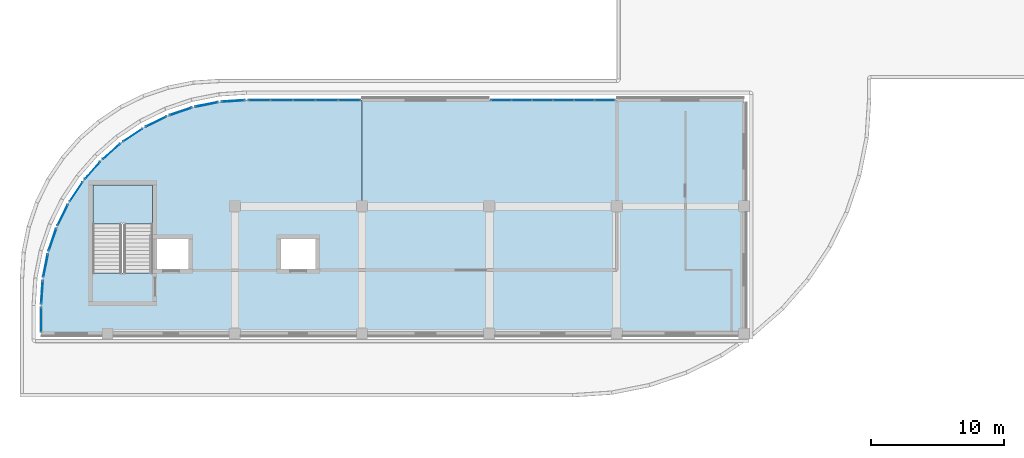
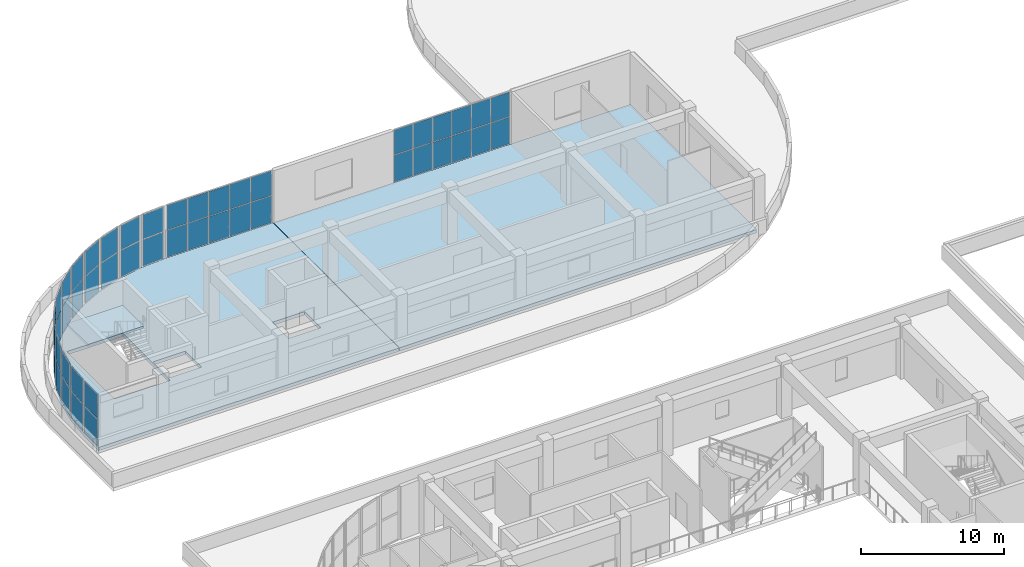
# One storey, part 32 of 67: 48 plates, 3 slabs, 16 elements without a shape of their own.
"""IFC4 building model written with IfcOpenShell, lengths in metres."""

from ifc_helpers import new_model, si_unit, direction, frame, origin, origin_2d, place, context, subcontext, project, spatial, polyline, rectangle, outline, extrude, material, layer, layer_set, type_object, element, aggregate, save


model = new_model("IFC4")

# Units and contexts
model_context = context("Model", 3, precision=1e-05, world=origin(), true_north=direction((0.0, 1.0)))
body_context = subcontext(model_context, "Body", "Model", "MODEL_VIEW")
ifc_project = project(units=[si_unit("LENGTHUNIT", "METRE"), si_unit("AREAUNIT", "SQUARE_METRE"), si_unit("VOLUMEUNIT", "CUBIC_METRE"), si_unit("PLANEANGLEUNIT", "RADIAN"), si_unit("MASSUNIT", "GRAM", prefix="KILO")], contexts=[model_context])

# Site, building, storey
site_placement = place(None, origin())
site = spatial("IfcSite", under=ifc_project, at=site_placement, CompositionType="ELEMENT")
building_placement = place(site_placement, origin())
building = spatial("IfcBuilding", under=site, at=building_placement, Name="Cendralis Terraced Arcade", CompositionType="ELEMENT")
storey_placement = place(building_placement, frame((0.0, 0.0, 15.0)))
storey = spatial("IfcBuildingStorey", under=building, at=storey_placement, Name="L03", CompositionType="ELEMENT", Elevation=15.0)

# Curtain wall, plates
ifc_material_1 = material(Name="Anodised aluminium EN AW-6063 T6", Category="aluminium")
ifc_layer_1 = layer(ifc_material_1, 0.1201171875, Name="CW-STORE-B")
ifc_layer_set_1 = layer_set([ifc_layer_1], Name="Anodised aluminium EN AW-6063 T6")
curtain_wall_type_1 = type_object("IfcCurtainWallType", Name="CW-STORE-B", PredefinedType="USERDEFINED", material=ifc_layer_set_1)
curtain_wall_1_placement = place(storey_placement, origin())
curtain_wall_1 = element("IfcCurtainWall", 1, at=curtain_wall_1_placement, inside=storey, type_object=curtain_wall_type_1, Name="Exterior Storefront Glazing CW-L03-0310", ObjectType="STOREFRONT GLAZING", PredefinedType="USERDEFINED")
ifc_material_2 = material(Name="Tempered solar control laminated glass", Category="glass")
ifc_layer_2 = layer(ifc_material_2, 0.02392578125, Name="CW-STORE-B-PNL")
ifc_layer_set_2 = layer_set([ifc_layer_2], Name="Tempered solar control laminated glass")
plate_type_1 = type_object("IfcPlateType", Name="CW-STORE-B-PNL", PredefinedType="CURTAIN_PANEL", material=ifc_layer_set_2)
plate_1_placement = place(storey_placement, frame((21.0556640625, 87.199951171875, 0.05517578125), z_axis=(0.0, 0.0, 1.0), x_axis=(1.0, 0.0, 0.0)))
plate_1 = element("IfcPlate", 2, at=plate_1_placement, type_object=plate_type_1, Name="CW-S2 panel 1.1", PredefinedType="CURTAIN_PANEL", context=body_context, shape_type="SweptSolid", body=[
    extrude(rectangle(XDim=1.62158203125, YDim=0.02392578125, at=origin_2d()), origin(), (0.0, 0.0, 1.0), 2.267822265625),
])
plate_2_placement = place(storey_placement, frame((21.0556640625, 87.199951171875, 2.3779296875), z_axis=(0.0, 0.0, 1.0), x_axis=(1.0, 0.0, 0.0)))
plate_2 = element("IfcPlate", 3, at=plate_2_placement, type_object=plate_type_1, Name="CW-S2 panel 1.2", PredefinedType="CURTAIN_PANEL", context=body_context, shape_type="SweptSolid", body=[
    extrude(rectangle(XDim=1.62158203125, YDim=0.02392578125, at=origin_2d()), origin(), (0.0, 0.0, 1.0), 2.087158203125),
])
plate_3_placement = place(storey_placement, frame((22.74609375, 87.199951171875, 0.05517578125), z_axis=(0.0, 0.0, 1.0), x_axis=(1.0, 0.0, 0.0)))
plate_3 = element("IfcPlate", 4, at=plate_3_placement, type_object=plate_type_1, Name="CW-S2 panel 2.1", PredefinedType="CURTAIN_PANEL", context=body_context, shape_type="SweptSolid", body=[
    extrude(rectangle(XDim=1.64892578125, YDim=0.02392578125, at=origin_2d()), origin(), (0.0, 0.0, 1.0), 2.267822265625),
])
plate_4_placement = place(storey_placement, frame((22.74609375, 87.199951171875, 2.3779296875), z_axis=(0.0, 0.0, 1.0), x_axis=(1.0, 0.0, 0.0)))
plate_4 = element("IfcPlate", 5, at=plate_4_placement, type_object=plate_type_1, Name="CW-S2 panel 2.2", PredefinedType="CURTAIN_PANEL", context=body_context, shape_type="SweptSolid", body=[
    extrude(rectangle(XDim=1.64892578125, YDim=0.02392578125, at=origin_2d()), origin(), (0.0, 0.0, 1.0), 2.087158203125),
])
plate_5_placement = place(storey_placement, frame((24.449951171875, 87.199951171875, 0.05517578125), z_axis=(0.0, 0.0, 1.0), x_axis=(1.0, 0.0, 0.0)))
plate_5 = element("IfcPlate", 6, at=plate_5_placement, type_object=plate_type_1, Name="CW-S2 panel 3.1", PredefinedType="CURTAIN_PANEL", context=body_context, shape_type="SweptSolid", body=[
    extrude(rectangle(XDim=1.64892578125, YDim=0.02392578125, at=origin_2d()), origin(), (0.0, 0.0, 1.0), 2.267822265625),
])
plate_6_placement = place(storey_placement, frame((24.449951171875, 87.199951171875, 2.3779296875), z_axis=(0.0, 0.0, 1.0), x_axis=(1.0, 0.0, 0.0)))
plate_6 = element("IfcPlate", 7, at=plate_6_placement, type_object=plate_type_1, Name="CW-S2 panel 3.2", PredefinedType="CURTAIN_PANEL", context=body_context, shape_type="SweptSolid", body=[
    extrude(rectangle(XDim=1.64892578125, YDim=0.02392578125, at=origin_2d()), origin(), (0.0, 0.0, 1.0), 2.087158203125),
])
plate_7_placement = place(storey_placement, frame((26.154052734375, 87.199951171875, 0.05517578125), z_axis=(0.0, 0.0, 1.0), x_axis=(1.0, 0.0, 0.0)))
plate_7 = element("IfcPlate", 8, at=plate_7_placement, type_object=plate_type_1, Name="CW-S2 panel 4.1", PredefinedType="CURTAIN_PANEL", context=body_context, shape_type="SweptSolid", body=[
    extrude(rectangle(XDim=1.64892578125, YDim=0.02392578125, at=origin_2d()), origin(), (0.0, 0.0, 1.0), 2.267822265625),
])
plate_8_placement = place(storey_placement, frame((26.154052734375, 87.199951171875, 2.3779296875), z_axis=(0.0, 0.0, 1.0), x_axis=(1.0, 0.0, 0.0)))
plate_8 = element("IfcPlate", 9, at=plate_8_placement, type_object=plate_type_1, Name="CW-S2 panel 4.2", PredefinedType="CURTAIN_PANEL", context=body_context, shape_type="SweptSolid", body=[
    extrude(rectangle(XDim=1.64892578125, YDim=0.02392578125, at=origin_2d()), origin(), (0.0, 0.0, 1.0), 2.087158203125),
])
plate_9_placement = place(storey_placement, frame((27.84423828125, 87.199951171875, 0.05517578125), z_axis=(0.0, 0.0, 1.0), x_axis=(1.0, 0.0, 0.0)))
plate_9 = element("IfcPlate", 10, at=plate_9_placement, type_object=plate_type_1, Name="CW-S2 panel 5.1", PredefinedType="CURTAIN_PANEL", context=body_context, shape_type="SweptSolid", body=[
    extrude(rectangle(XDim=1.62158203125, YDim=0.02392578125, at=origin_2d()), origin(), (0.0, 0.0, 1.0), 2.267822265625),
])
plate_10_placement = place(storey_placement, frame((27.84423828125, 87.199951171875, 2.3779296875), z_axis=(0.0, 0.0, 1.0), x_axis=(1.0, 0.0, 0.0)))
plate_10 = element("IfcPlate", 11, at=plate_10_placement, type_object=plate_type_1, Name="CW-S2 panel 5.2", PredefinedType="CURTAIN_PANEL", context=body_context, shape_type="SweptSolid", body=[
    extrude(rectangle(XDim=1.62158203125, YDim=0.02392578125, at=origin_2d()), origin(), (0.0, 0.0, 1.0), 2.087158203125),
])
aggregate(curtain_wall_1, [plate_1, plate_2, plate_3, plate_4, plate_5, plate_6, plate_7, plate_8, plate_9, plate_10])

curtain_wall_2_placement = place(storey_placement, origin())
curtain_wall_2 = element("IfcCurtainWall", 12, at=curtain_wall_2_placement, inside=storey, type_object=curtain_wall_type_1, Name="Exterior Storefront Glazing CW-L03-0311", ObjectType="STOREFRONT GLAZING", PredefinedType="USERDEFINED")
plate_11_placement = place(storey_placement, frame((39.288818359375, 87.199951171875, 0.05517578125), z_axis=(0.0, 0.0, 1.0), x_axis=(1.0, 0.0, 0.0)))
plate_11 = element("IfcPlate", 13, at=plate_11_placement, type_object=plate_type_1, Name="CW-S2 panel 1.1", PredefinedType="CURTAIN_PANEL", context=body_context, shape_type="SweptSolid", body=[
    extrude(rectangle(XDim=1.487548828125, YDim=0.02392578125, at=origin_2d()), origin(), (0.0, 0.0, 1.0), 2.267822265625),
])
plate_12_placement = place(storey_placement, frame((39.288818359375, 87.199951171875, 2.3779296875), z_axis=(0.0, 0.0, 1.0), x_axis=(1.0, 0.0, 0.0)))
plate_12 = element("IfcPlate", 14, at=plate_12_placement, type_object=plate_type_1, Name="CW-S2 panel 1.2", PredefinedType="CURTAIN_PANEL", context=body_context, shape_type="SweptSolid", body=[
    extrude(rectangle(XDim=1.487548828125, YDim=0.02392578125, at=origin_2d()), origin(), (0.0, 0.0, 1.0), 2.087158203125),
])
plate_13_placement = place(storey_placement, frame((40.844970703125, 87.199951171875, 0.05517578125), z_axis=(0.0, 0.0, 1.0), x_axis=(1.0, 0.0, 0.0)))
plate_13 = element("IfcPlate", 15, at=plate_13_placement, type_object=plate_type_1, Name="CW-S2 panel 2.1", PredefinedType="CURTAIN_PANEL", context=body_context, shape_type="SweptSolid", body=[
    extrude(rectangle(XDim=1.514892578125, YDim=0.02392578125, at=origin_2d()), origin(), (0.0, 0.0, 1.0), 2.267822265625),
])
plate_14_placement = place(storey_placement, frame((40.844970703125, 87.199951171875, 2.3779296875), z_axis=(0.0, 0.0, 1.0), x_axis=(1.0, 0.0, 0.0)))
plate_14 = element("IfcPlate", 16, at=plate_14_placement, type_object=plate_type_1, Name="CW-S2 panel 2.2", PredefinedType="CURTAIN_PANEL", context=body_context, shape_type="SweptSolid", body=[
    extrude(rectangle(XDim=1.514892578125, YDim=0.02392578125, at=origin_2d()), origin(), (0.0, 0.0, 1.0), 2.087158203125),
])
plate_15_placement = place(storey_placement, frame((42.4150390625, 87.199951171875, 0.05517578125), z_axis=(0.0, 0.0, 1.0), x_axis=(1.0, 0.0, 0.0)))
plate_15 = element("IfcPlate", 17, at=plate_15_placement, type_object=plate_type_1, Name="CW-S2 panel 3.1", PredefinedType="CURTAIN_PANEL", context=body_context, shape_type="SweptSolid", body=[
    extrude(rectangle(XDim=1.514892578125, YDim=0.02392578125, at=origin_2d()), origin(), (0.0, 0.0, 1.0), 2.267822265625),
])
plate_16_placement = place(storey_placement, frame((42.4150390625, 87.199951171875, 2.3779296875), z_axis=(0.0, 0.0, 1.0), x_axis=(1.0, 0.0, 0.0)))
plate_16 = element("IfcPlate", 18, at=plate_16_placement, type_object=plate_type_1, Name="CW-S2 panel 3.2", PredefinedType="CURTAIN_PANEL", context=body_context, shape_type="SweptSolid", body=[
    extrude(rectangle(XDim=1.514892578125, YDim=0.02392578125, at=origin_2d()), origin(), (0.0, 0.0, 1.0), 2.087158203125),
])
plate_17_placement = place(storey_placement, frame((43.985107421875, 87.199951171875, 0.05517578125), z_axis=(0.0, 0.0, 1.0), x_axis=(1.0, 0.0, 0.0)))
plate_17 = element("IfcPlate", 19, at=plate_17_placement, type_object=plate_type_1, Name="CW-S2 panel 4.1", PredefinedType="CURTAIN_PANEL", context=body_context, shape_type="SweptSolid", body=[
    extrude(rectangle(XDim=1.514892578125, YDim=0.02392578125, at=origin_2d()), origin(), (0.0, 0.0, 1.0), 2.267822265625),
])
plate_18_placement = place(storey_placement, frame((43.985107421875, 87.199951171875, 2.3779296875), z_axis=(0.0, 0.0, 1.0), x_axis=(1.0, 0.0, 0.0)))
plate_18 = element("IfcPlate", 20, at=plate_18_placement, type_object=plate_type_1, Name="CW-S2 panel 4.2", PredefinedType="CURTAIN_PANEL", context=body_context, shape_type="SweptSolid", body=[
    extrude(rectangle(XDim=1.514892578125, YDim=0.02392578125, at=origin_2d()), origin(), (0.0, 0.0, 1.0), 2.087158203125),
])
plate_19_placement = place(storey_placement, frame((45.554931640625, 87.199951171875, 0.05517578125), z_axis=(0.0, 0.0, 1.0), x_axis=(1.0, 0.0, 0.0)))
plate_19 = element("IfcPlate", 21, at=plate_19_placement, type_object=plate_type_1, Name="CW-S2 panel 5.1", PredefinedType="CURTAIN_PANEL", context=body_context, shape_type="SweptSolid", body=[
    extrude(rectangle(XDim=1.514892578125, YDim=0.02392578125, at=origin_2d()), origin(), (0.0, 0.0, 1.0), 2.267822265625),
])
plate_20_placement = place(storey_placement, frame((45.554931640625, 87.199951171875, 2.3779296875), z_axis=(0.0, 0.0, 1.0), x_axis=(1.0, 0.0, 0.0)))
plate_20 = element("IfcPlate", 22, at=plate_20_placement, type_object=plate_type_1, Name="CW-S2 panel 5.2", PredefinedType="CURTAIN_PANEL", context=body_context, shape_type="SweptSolid", body=[
    extrude(rectangle(XDim=1.514892578125, YDim=0.02392578125, at=origin_2d()), origin(), (0.0, 0.0, 1.0), 2.087158203125),
])
plate_21_placement = place(storey_placement, frame((47.111328125, 87.199951171875, 0.05517578125), z_axis=(0.0, 0.0, 1.0), x_axis=(1.0, 0.0, 0.0)))
plate_21 = element("IfcPlate", 23, at=plate_21_placement, type_object=plate_type_1, Name="CW-S2 panel 6.1", PredefinedType="CURTAIN_PANEL", context=body_context, shape_type="SweptSolid", body=[
    extrude(rectangle(XDim=1.487548828125, YDim=0.02392578125, at=origin_2d()), origin(), (0.0, 0.0, 1.0), 2.267822265625),
])
plate_22_placement = place(storey_placement, frame((47.111328125, 87.199951171875, 2.3779296875), z_axis=(0.0, 0.0, 1.0), x_axis=(1.0, 0.0, 0.0)))
plate_22 = element("IfcPlate", 24, at=plate_22_placement, type_object=plate_type_1, Name="CW-S2 panel 6.2", PredefinedType="CURTAIN_PANEL", context=body_context, shape_type="SweptSolid", body=[
    extrude(rectangle(XDim=1.487548828125, YDim=0.02392578125, at=origin_2d()), origin(), (0.0, 0.0, 1.0), 2.087158203125),
])
aggregate(curtain_wall_2, [plate_11, plate_12, plate_13, plate_14, plate_15, plate_16, plate_17, plate_18, plate_19, plate_20, plate_21, plate_22])

curtain_wall_3_placement = place(storey_placement, origin())
curtain_wall_3 = element("IfcCurtainWall", 25, at=curtain_wall_3_placement, inside=storey, type_object=curtain_wall_type_1, Name="Exterior Storefront Glazing CW-L03-0312", ObjectType="STOREFRONT GLAZING", PredefinedType="USERDEFINED")
plate_23_placement = place(storey_placement, frame((4.60009765625, 70.64990234375, 0.05517578125), z_axis=(0.0, 0.0, 1.0), x_axis=(0.0, 1.0, 0.0)))
plate_23 = element("IfcPlate", 26, at=plate_23_placement, type_object=plate_type_1, Name="CW-S2 panel 1.1", PredefinedType="CURTAIN_PANEL", context=body_context, shape_type="SweptSolid", body=[
    extrude(rectangle(XDim=1.81005859375, YDim=0.02392578125, at=origin_2d()), origin(), (0.0, 0.0, 1.0), 2.267822265625),
])
plate_24_placement = place(storey_placement, frame((4.60009765625, 70.64990234375, 2.3779296875), z_axis=(0.0, 0.0, 1.0), x_axis=(0.0, 1.0, 0.0)))
plate_24 = element("IfcPlate", 27, at=plate_24_placement, type_object=plate_type_1, Name="CW-S2 panel 1.2", PredefinedType="CURTAIN_PANEL", context=body_context, shape_type="SweptSolid", body=[
    extrude(rectangle(XDim=1.81005859375, YDim=0.02392578125, at=origin_2d()), origin(), (0.0, 0.0, 1.0), 2.087158203125),
])
aggregate(curtain_wall_3, [plate_23, plate_24])

ifc_layer_3 = layer(ifc_material_1, 0.179931640625, Name="CW-UNIT-A")
ifc_layer_set_3 = layer_set([ifc_layer_3], Name="Anodised aluminium EN AW-6063 T6")
curtain_wall_type_2 = type_object("IfcCurtainWallType", Name="CW-UNIT-A", PredefinedType="USERDEFINED", material=ifc_layer_set_3)
curtain_wall_4_placement = place(storey_placement, origin())
curtain_wall_4 = element("IfcCurtainWall", 28, at=curtain_wall_4_placement, inside=storey, type_object=curtain_wall_type_2, Name="Exterior Unitised Facade CW-L03-0299", ObjectType="UNITISED FACADE", PredefinedType="USERDEFINED")
ifc_layer_4 = layer(ifc_material_2, 0.035888671875, Name="CW-UNIT-A-PNL")
ifc_layer_set_4 = layer_set([ifc_layer_4], Name="Tempered solar control laminated glass")
plate_type_2 = type_object("IfcPlateType", Name="CW-UNIT-A-PNL", PredefinedType="CURTAIN_PANEL", material=ifc_layer_set_4)
plate_25_placement = place(storey_placement, frame((4.930419921875, 74.717529296875, 0.06494140625), z_axis=(0.0, 0.0, 1.0), x_axis=(0.195033398913, 0.980796601395, 0.0)))
plate_25 = element("IfcPlate", 29, at=plate_25_placement, type_object=plate_type_2, Name="CW-U1 panel 1.1", PredefinedType="CURTAIN_PANEL", context=body_context, shape_type="SweptSolid", body=[
    extrude(rectangle(XDim=1.71728515625, YDim=0.035888671875, at=origin_2d()), origin(), (0.0, 0.0, 1.0), 2.2529296875),
])
plate_26_placement = place(storey_placement, frame((4.930419921875, 74.717529296875, 2.3828125), z_axis=(0.0, 0.0, 1.0), x_axis=(0.195033398913, 0.980796601395, 0.0)))
plate_26 = element("IfcPlate", 30, at=plate_26_placement, type_object=plate_type_2, Name="CW-U1 panel 1.2", PredefinedType="CURTAIN_PANEL", context=body_context, shape_type="SweptSolid", body=[
    extrude(rectangle(XDim=1.71728515625, YDim=0.035888671875, at=origin_2d()), origin(), (0.0, 0.0, 1.0), 2.072021484375),
])
aggregate(curtain_wall_4, [plate_25, plate_26])

curtain_wall_5_placement = place(storey_placement, origin())
curtain_wall_5 = element("IfcCurtainWall", 31, at=curtain_wall_5_placement, inside=storey, type_object=curtain_wall_type_2, Name="Exterior Unitised Facade CW-L03-0300", ObjectType="UNITISED FACADE", PredefinedType="USERDEFINED")
plate_27_placement = place(storey_placement, frame((5.4541015625, 76.671630859375, 0.06494140625), z_axis=(0.0, 0.0, 1.0), x_axis=(0.32150002033, 0.946909571674, 0.0)))
plate_27 = element("IfcPlate", 32, at=plate_27_placement, type_object=plate_type_2, Name="CW-U1 panel 1.1", PredefinedType="CURTAIN_PANEL", context=body_context, shape_type="SweptSolid", body=[
    extrude(rectangle(XDim=1.717529296875, YDim=0.035888671875, at=origin_2d()), origin(), (0.0, 0.0, 1.0), 2.2529296875),
])
plate_28_placement = place(storey_placement, frame((5.4541015625, 76.671630859375, 2.3828125), z_axis=(0.0, 0.0, 1.0), x_axis=(0.32150002033, 0.946909571674, 0.0)))
plate_28 = element("IfcPlate", 33, at=plate_28_placement, type_object=plate_type_2, Name="CW-U1 panel 1.2", PredefinedType="CURTAIN_PANEL", context=body_context, shape_type="SweptSolid", body=[
    extrude(rectangle(XDim=1.717529296875, YDim=0.035888671875, at=origin_2d()), origin(), (0.0, 0.0, 1.0), 2.072021484375),
])
aggregate(curtain_wall_5, [plate_27, plate_28])

curtain_wall_6_placement = place(storey_placement, origin())
curtain_wall_6 = element("IfcCurtainWall", 34, at=curtain_wall_6_placement, inside=storey, type_object=curtain_wall_type_2, Name="Exterior Unitised Facade CW-L03-0301", ObjectType="UNITISED FACADE", PredefinedType="USERDEFINED")
plate_29_placement = place(storey_placement, frame((6.228271484375, 78.540771484375, 0.06494140625), z_axis=(0.0, 0.0, 1.0), x_axis=(0.442270416572, 0.896881752867, 0.0)))
plate_29 = element("IfcPlate", 35, at=plate_29_placement, type_object=plate_type_2, Name="CW-U1 panel 1.1", PredefinedType="CURTAIN_PANEL", context=body_context, shape_type="SweptSolid", body=[
    extrude(rectangle(XDim=1.717529296875, YDim=0.035888671875, at=origin_2d()), origin(), (0.0, 0.0, 1.0), 2.2529296875),
])
plate_30_placement = place(storey_placement, frame((6.228271484375, 78.540771484375, 2.3828125), z_axis=(0.0, 0.0, 1.0), x_axis=(0.442270416572, 0.896881752867, 0.0)))
plate_30 = element("IfcPlate", 36, at=plate_30_placement, type_object=plate_type_2, Name="CW-U1 panel 1.2", PredefinedType="CURTAIN_PANEL", context=body_context, shape_type="SweptSolid", body=[
    extrude(rectangle(XDim=1.717529296875, YDim=0.035888671875, at=origin_2d()), origin(), (0.0, 0.0, 1.0), 2.072021484375),
])
aggregate(curtain_wall_6, [plate_29, plate_30])

curtain_wall_7_placement = place(storey_placement, origin())
curtain_wall_7 = element("IfcCurtainWall", 37, at=curtain_wall_7_placement, inside=storey, type_object=curtain_wall_type_2, Name="Exterior Unitised Facade CW-L03-0302", ObjectType="UNITISED FACADE", PredefinedType="USERDEFINED")
plate_31_placement = place(storey_placement, frame((7.23974609375, 80.29296875, 0.06494140625), z_axis=(0.0, 0.0, 1.0), x_axis=(0.555549269065, 0.831483619587, 0.0)))
plate_31 = element("IfcPlate", 38, at=plate_31_placement, type_object=plate_type_2, Name="CW-U1 panel 1.1", PredefinedType="CURTAIN_PANEL", context=body_context, shape_type="SweptSolid", body=[
    extrude(rectangle(XDim=1.717529296875, YDim=0.035888671875, at=origin_2d()), origin(), (0.0, 0.0, 1.0), 2.2529296875),
])
plate_32_placement = place(storey_placement, frame((7.23974609375, 80.29296875, 2.3828125), z_axis=(0.0, 0.0, 1.0), x_axis=(0.555549269065, 0.831483619587, 0.0)))
plate_32 = element("IfcPlate", 39, at=plate_32_placement, type_object=plate_type_2, Name="CW-U1 panel 1.2", PredefinedType="CURTAIN_PANEL", context=body_context, shape_type="SweptSolid", body=[
    extrude(rectangle(XDim=1.717529296875, YDim=0.035888671875, at=origin_2d()), origin(), (0.0, 0.0, 1.0), 2.072021484375),
])
aggregate(curtain_wall_7, [plate_31, plate_32])

curtain_wall_8_placement = place(storey_placement, origin())
curtain_wall_8 = element("IfcCurtainWall", 40, at=curtain_wall_8_placement, inside=storey, type_object=curtain_wall_type_2, Name="Exterior Unitised Facade CW-L03-0303", ObjectType="UNITISED FACADE", PredefinedType="USERDEFINED")
plate_33_placement = place(storey_placement, frame((8.471435546875, 81.89794921875, 0.06494140625), z_axis=(0.0, 0.0, 1.0), x_axis=(0.659370197402, 0.751818424075, 0.0)))
plate_33 = element("IfcPlate", 41, at=plate_33_placement, type_object=plate_type_2, Name="CW-U1 panel 1.1", PredefinedType="CURTAIN_PANEL", context=body_context, shape_type="SweptSolid", body=[
    extrude(rectangle(XDim=1.717529296875, YDim=0.035888671875, at=origin_2d()), origin(), (0.0, 0.0, 1.0), 2.2529296875),
])
plate_34_placement = place(storey_placement, frame((8.471435546875, 81.89794921875, 2.3828125), z_axis=(0.0, 0.0, 1.0), x_axis=(0.659370197402, 0.751818424075, 0.0)))
plate_34 = element("IfcPlate", 42, at=plate_34_placement, type_object=plate_type_2, Name="CW-U1 panel 1.2", PredefinedType="CURTAIN_PANEL", context=body_context, shape_type="SweptSolid", body=[
    extrude(rectangle(XDim=1.717529296875, YDim=0.035888671875, at=origin_2d()), origin(), (0.0, 0.0, 1.0), 2.072021484375),
])
aggregate(curtain_wall_8, [plate_33, plate_34])

curtain_wall_9_placement = place(storey_placement, origin())
curtain_wall_9 = element("IfcCurtainWall", 43, at=curtain_wall_9_placement, inside=storey, type_object=curtain_wall_type_2, Name="Exterior Unitised Facade CW-L03-0304", ObjectType="UNITISED FACADE", PredefinedType="USERDEFINED")
plate_35_placement = place(storey_placement, frame((9.902099609375, 83.32861328125, 0.06494140625), z_axis=(0.0, 0.0, 1.0), x_axis=(0.751818424075, 0.659370197402, 0.0)))
plate_35 = element("IfcPlate", 44, at=plate_35_placement, type_object=plate_type_2, Name="CW-U1 panel 1.1", PredefinedType="CURTAIN_PANEL", context=body_context, shape_type="SweptSolid", body=[
    extrude(rectangle(XDim=1.717529296875, YDim=0.035888671875, at=origin_2d()), origin(), (0.0, 0.0, 1.0), 2.2529296875),
])
plate_36_placement = place(storey_placement, frame((9.902099609375, 83.32861328125, 2.3828125), z_axis=(0.0, 0.0, 1.0), x_axis=(0.751818424075, 0.659370197402, 0.0)))
plate_36 = element("IfcPlate", 45, at=plate_36_placement, type_object=plate_type_2, Name="CW-U1 panel 1.2", PredefinedType="CURTAIN_PANEL", context=body_context, shape_type="SweptSolid", body=[
    extrude(rectangle(XDim=1.717529296875, YDim=0.035888671875, at=origin_2d()), origin(), (0.0, 0.0, 1.0), 2.072021484375),
])
aggregate(curtain_wall_9, [plate_35, plate_36])

curtain_wall_10_placement = place(storey_placement, origin())
curtain_wall_10 = element("IfcCurtainWall", 46, at=curtain_wall_10_placement, inside=storey, type_object=curtain_wall_type_2, Name="Exterior Unitised Facade CW-L03-0305", ObjectType="UNITISED FACADE", PredefinedType="USERDEFINED")
plate_37_placement = place(storey_placement, frame((11.507080078125, 84.560302734375, 0.06494140625), z_axis=(0.0, 0.0, 1.0), x_axis=(0.831483619587, 0.555549269065, 0.0)))
plate_37 = element("IfcPlate", 47, at=plate_37_placement, type_object=plate_type_2, Name="CW-U1 panel 1.1", PredefinedType="CURTAIN_PANEL", context=body_context, shape_type="SweptSolid", body=[
    extrude(rectangle(XDim=1.717529296875, YDim=0.035888671875, at=origin_2d()), origin(), (0.0, 0.0, 1.0), 2.2529296875),
])
plate_38_placement = place(storey_placement, frame((11.507080078125, 84.560302734375, 2.3828125), z_axis=(0.0, 0.0, 1.0), x_axis=(0.831483619587, 0.555549269065, 0.0)))
plate_38 = element("IfcPlate", 48, at=plate_38_placement, type_object=plate_type_2, Name="CW-U1 panel 1.2", PredefinedType="CURTAIN_PANEL", context=body_context, shape_type="SweptSolid", body=[
    extrude(rectangle(XDim=1.717529296875, YDim=0.035888671875, at=origin_2d()), origin(), (0.0, 0.0, 1.0), 2.072021484375),
])
aggregate(curtain_wall_10, [plate_37, plate_38])

curtain_wall_11_placement = place(storey_placement, origin())
curtain_wall_11 = element("IfcCurtainWall", 49, at=curtain_wall_11_placement, inside=storey, type_object=curtain_wall_type_2, Name="Exterior Unitised Facade CW-L03-0306", ObjectType="UNITISED FACADE", PredefinedType="USERDEFINED")
plate_39_placement = place(storey_placement, frame((13.25927734375, 85.57177734375, 0.06494140625), z_axis=(0.0, 0.0, 1.0), x_axis=(0.896881752867, 0.442270416572, 0.0)))
plate_39 = element("IfcPlate", 50, at=plate_39_placement, type_object=plate_type_2, Name="CW-U1 panel 1.1", PredefinedType="CURTAIN_PANEL", context=body_context, shape_type="SweptSolid", body=[
    extrude(rectangle(XDim=1.717529296875, YDim=0.035888671875, at=origin_2d()), origin(), (0.0, 0.0, 1.0), 2.2529296875),
])
plate_40_placement = place(storey_placement, frame((13.25927734375, 85.57177734375, 2.3828125), z_axis=(0.0, 0.0, 1.0), x_axis=(0.896881752867, 0.442270416572, 0.0)))
plate_40 = element("IfcPlate", 51, at=plate_40_placement, type_object=plate_type_2, Name="CW-U1 panel 1.2", PredefinedType="CURTAIN_PANEL", context=body_context, shape_type="SweptSolid", body=[
    extrude(rectangle(XDim=1.717529296875, YDim=0.035888671875, at=origin_2d()), origin(), (0.0, 0.0, 1.0), 2.072021484375),
])
aggregate(curtain_wall_11, [plate_39, plate_40])

curtain_wall_12_placement = place(storey_placement, origin())
curtain_wall_12 = element("IfcCurtainWall", 52, at=curtain_wall_12_placement, inside=storey, type_object=curtain_wall_type_2, Name="Exterior Unitised Facade CW-L03-0307", ObjectType="UNITISED FACADE", PredefinedType="USERDEFINED")
plate_41_placement = place(storey_placement, frame((15.12841796875, 86.345947265625, 0.06494140625), z_axis=(0.0, 0.0, 1.0), x_axis=(0.946909571674, 0.32150002033, 0.0)))
plate_41 = element("IfcPlate", 53, at=plate_41_placement, type_object=plate_type_2, Name="CW-U1 panel 1.1", PredefinedType="CURTAIN_PANEL", context=body_context, shape_type="SweptSolid", body=[
    extrude(rectangle(XDim=1.717529296875, YDim=0.035888671875, at=origin_2d()), origin(), (0.0, 0.0, 1.0), 2.2529296875),
])
plate_42_placement = place(storey_placement, frame((15.12841796875, 86.345947265625, 2.3828125), z_axis=(0.0, 0.0, 1.0), x_axis=(0.946909571674, 0.32150002033, 0.0)))
plate_42 = element("IfcPlate", 54, at=plate_42_placement, type_object=plate_type_2, Name="CW-U1 panel 1.2", PredefinedType="CURTAIN_PANEL", context=body_context, shape_type="SweptSolid", body=[
    extrude(rectangle(XDim=1.717529296875, YDim=0.035888671875, at=origin_2d()), origin(), (0.0, 0.0, 1.0), 2.072021484375),
])
aggregate(curtain_wall_12, [plate_41, plate_42])

curtain_wall_13_placement = place(storey_placement, origin())
curtain_wall_13 = element("IfcCurtainWall", 55, at=curtain_wall_13_placement, inside=storey, type_object=curtain_wall_type_2, Name="Exterior Unitised Facade CW-L03-0308", ObjectType="UNITISED FACADE", PredefinedType="USERDEFINED")
plate_43_placement = place(storey_placement, frame((17.08251953125, 86.86962890625, 0.06494140625), z_axis=(0.0, 0.0, 1.0), x_axis=(0.980796601395, 0.195033398913, 0.0)))
plate_43 = element("IfcPlate", 56, at=plate_43_placement, type_object=plate_type_2, Name="CW-U1 panel 1.1", PredefinedType="CURTAIN_PANEL", context=body_context, shape_type="SweptSolid", body=[
    extrude(rectangle(XDim=1.71728515625, YDim=0.035888671875, at=origin_2d()), origin(), (0.0, 0.0, 1.0), 2.2529296875),
])
plate_44_placement = place(storey_placement, frame((17.08251953125, 86.86962890625, 2.3828125), z_axis=(0.0, 0.0, 1.0), x_axis=(0.980796601395, 0.195033398913, 0.0)))
plate_44 = element("IfcPlate", 57, at=plate_44_placement, type_object=plate_type_2, Name="CW-U1 panel 1.2", PredefinedType="CURTAIN_PANEL", context=body_context, shape_type="SweptSolid", body=[
    extrude(rectangle(XDim=1.71728515625, YDim=0.035888671875, at=origin_2d()), origin(), (0.0, 0.0, 1.0), 2.072021484375),
])
aggregate(curtain_wall_13, [plate_43, plate_44])

curtain_wall_14_placement = place(storey_placement, origin())
curtain_wall_14 = element("IfcCurtainWall", 58, at=curtain_wall_14_placement, inside=storey, type_object=curtain_wall_type_2, Name="Exterior Unitised Facade CW-L03-0309", ObjectType="UNITISED FACADE", PredefinedType="USERDEFINED")
plate_45_placement = place(storey_placement, frame((19.08837890625, 87.1337890625, 0.06494140625), z_axis=(0.0, 0.0, 1.0), x_axis=(0.997860192175, 0.065383766124, 0.0)))
plate_45 = element("IfcPlate", 59, at=plate_45_placement, type_object=plate_type_2, Name="CW-U1 panel 1.1", PredefinedType="CURTAIN_PANEL", context=body_context, shape_type="SweptSolid", body=[
    extrude(rectangle(XDim=1.717529296875, YDim=0.035888671875, at=origin_2d()), origin(), (0.0, 0.0, 1.0), 2.2529296875),
])
plate_46_placement = place(storey_placement, frame((19.08837890625, 87.1337890625, 2.3828125), z_axis=(0.0, 0.0, 1.0), x_axis=(0.997860192175, 0.065383766124, 0.0)))
plate_46 = element("IfcPlate", 60, at=plate_46_placement, type_object=plate_type_2, Name="CW-U1 panel 1.2", PredefinedType="CURTAIN_PANEL", context=body_context, shape_type="SweptSolid", body=[
    extrude(rectangle(XDim=1.717529296875, YDim=0.035888671875, at=origin_2d()), origin(), (0.0, 0.0, 1.0), 2.072021484375),
])
aggregate(curtain_wall_14, [plate_45, plate_46])

curtain_wall_15_placement = place(storey_placement, origin())
curtain_wall_15 = element("IfcCurtainWall", 61, at=curtain_wall_15_placement, inside=storey, type_object=curtain_wall_type_2, Name="Exterior Unitised Facade CW-L03-0313", ObjectType="UNITISED FACADE", PredefinedType="USERDEFINED")
plate_47_placement = place(storey_placement, frame((4.666259765625, 72.711669921875, 0.06494140625), z_axis=(0.0, 0.0, 1.0), x_axis=(0.065383766124, 0.997860192175, 0.0)))
plate_47 = element("IfcPlate", 62, at=plate_47_placement, type_object=plate_type_2, Name="CW-U1 panel 1.1", PredefinedType="CURTAIN_PANEL", context=body_context, shape_type="SweptSolid", body=[
    extrude(rectangle(XDim=1.717529296875, YDim=0.035888671875, at=origin_2d()), origin(), (0.0, 0.0, 1.0), 2.2529296875),
])
plate_48_placement = place(storey_placement, frame((4.666259765625, 72.711669921875, 2.3828125), z_axis=(0.0, 0.0, 1.0), x_axis=(0.065383766124, 0.997860192175, 0.0)))
plate_48 = element("IfcPlate", 63, at=plate_48_placement, type_object=plate_type_2, Name="CW-U1 panel 1.2", PredefinedType="CURTAIN_PANEL", context=body_context, shape_type="SweptSolid", body=[
    extrude(rectangle(XDim=1.717529296875, YDim=0.035888671875, at=origin_2d()), origin(), (0.0, 0.0, 1.0), 2.072021484375),
])
aggregate(curtain_wall_15, [plate_47, plate_48])

# Slabs
ifc_material_3 = material(Name="Concrete f'c 35 MPa", Category="concrete")
ifc_layer_5 = layer(ifc_material_3, 0.284912109375, Name="SLB-L03-285")
ifc_layer_set_5 = layer_set([ifc_layer_5], Name="Concrete f'c 35 MPa")
slab_type_1 = type_object("IfcSlabType", Name="SLB-L03-285", PredefinedType="FLOOR", material=ifc_layer_set_5)
slab_1_placement = place(storey_placement, frame((0.0, 0.0, -0.284912109375)))
element("IfcSlab", 64, at=slab_1_placement, inside=storey, type_object=slab_type_1, Name="Reinforced Concrete Floor Slab SLB-L03-V3-W1-1", PredefinedType="FLOOR", context=body_context, shape_type="SweptSolid", body=[
    extrude(outline(polyline([(5.128173828125, 75.711669921875), (5.77978515625, 77.631591796875), (6.676513671875, 79.449951171875), (7.802978515625, 81.1357421875), (9.139892578125, 82.66015625), (10.664306640625, 83.9970703125), (12.35009765625, 85.123291015625), (14.16845703125, 86.02001953125), (16.08837890625, 86.671875), (18.076904296875, 87.0673828125), (20.10009765625, 87.199951171875), (28.800048828125, 87.199951171875), (28.800048828125, 69.60009765625), (4.60009765625, 69.60009765625), (4.60009765625, 71.699951171875), (4.732666015625, 73.72314453125), (5.128173828125, 75.711669921875)]), holes=[polyline([(15.699951171875, 76.72509765625), (13.10009765625, 76.72509765625), (13.10009765625, 74.47509765625), (15.699951171875, 74.47509765625), (15.699951171875, 76.72509765625)]), polyline([(25.300048828125, 76.72509765625), (22.699951171875, 76.72509765625), (22.699951171875, 74.47509765625), (25.300048828125, 74.47509765625), (25.300048828125, 76.72509765625)]), polyline([(8.5, 80.800048828125), (8.5, 74.179931640625), (13.0, 74.179931640625), (13.0, 80.800048828125), (8.5, 80.800048828125)])]), origin(), (0.0, 0.0, 1.0), 0.284912109375),
])
slab_2_placement = place(storey_placement, frame((0.0, 0.0, -0.284912109375)))
element("IfcSlab", 65, at=slab_2_placement, inside=storey, type_object=slab_type_1, Name="Reinforced Concrete Floor Slab SLB-L03-V3-W2-1", PredefinedType="FLOOR", context=body_context, shape_type="SweptSolid", body=[
    extrude(outline(polyline([(28.820068359375, 69.60009765625), (28.820068359375, 87.199951171875), (57.60009765625, 87.199951171875), (57.60009765625, 69.60009765625), (28.820068359375, 69.60009765625)])), origin(), (0.0, 0.0, 1.0), 0.284912109375),
])

# Stair, slab
stair_type = type_object("IfcStairType", Name="STR-W215-H480", PredefinedType="HALF_TURN_STAIR", material=ifc_material_3)
stair_placement = place(storey_placement, origin())
stair = element("IfcStair", 66, at=stair_placement, inside=storey, type_object=stair_type, Name="L03 Protected Exit Stair ST-07", PredefinedType="HALF_TURN_STAIR")
ifc_layer_6 = layer(ifc_material_3, 0.199951171875, Name="SLB-STAIR-LND-200")
ifc_layer_set_6 = layer_set([ifc_layer_6], Name="Concrete f'c 35 MPa")
slab_type_2 = type_object("IfcSlabType", Name="SLB-STAIR-LND-200", PredefinedType="LANDING", material=ifc_layer_set_6)
slab_3_placement = place(storey_placement, frame((0.0, 0.0, 2.199951171875)))
slab_3 = element("IfcSlab", 67, at=slab_3_placement, type_object=slab_type_2, Name="ST-07 landing 1", PredefinedType="LANDING", context=body_context, shape_type="SweptSolid", body=[
    extrude(outline(polyline([(13.0, 77.85498046875), (13.0, 80.800048828125), (8.5, 80.800048828125), (8.5, 77.85498046875), (13.0, 77.85498046875)])), origin(), (0.0, 0.0, 1.0), 0.199951171875),
])
aggregate(stair, [slab_3])

save(model, "model.ifc")
